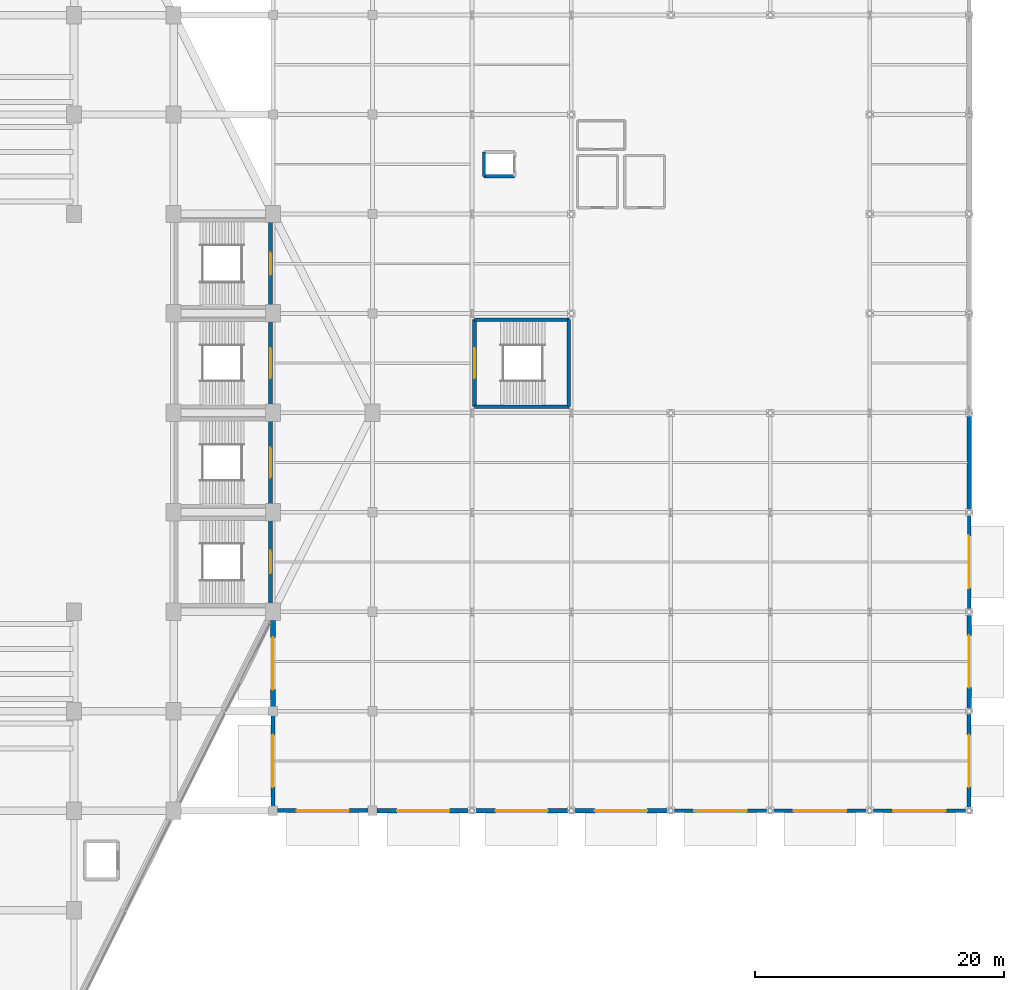
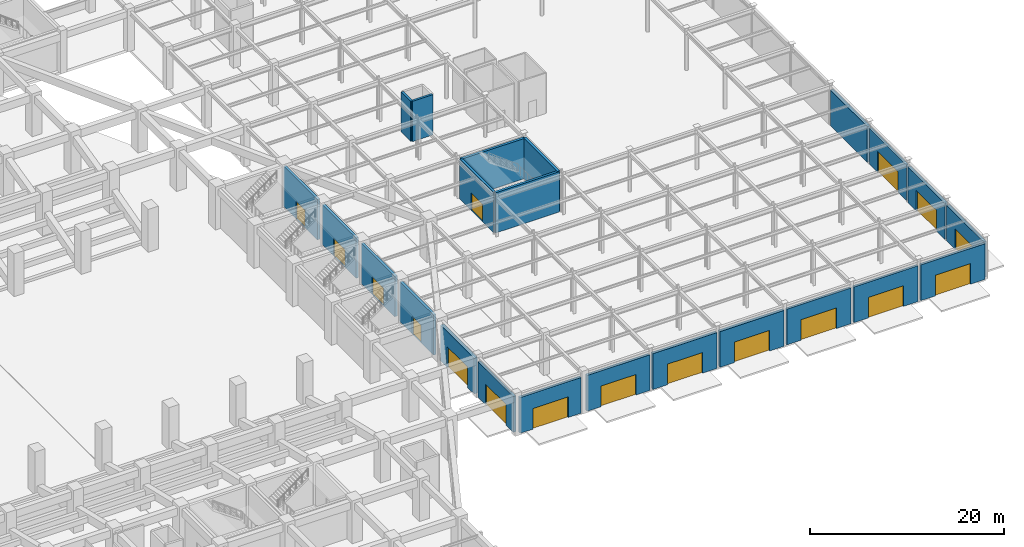
# One storey, part 29 of 39: 23 walls, 17 doors, 17 openings.
"""IFC4 building model written with IfcOpenShell, lengths in metres."""

from ifc_helpers import new_model, si_unit, direction, frame, frame_2d, origin, place, context, subcontext, project, spatial, rectangle, extrude, material, layer, layer_set, type_object, element, fill, save


model = new_model("IFC4")

# Units and contexts
model_context = context("Model", 3, precision=1e-05, world=origin(), true_north=direction((0.0, 1.0)))
body_context = subcontext(model_context, "Body", "Model", "MODEL_VIEW")
ifc_project = project(units=[si_unit("LENGTHUNIT", "METRE"), si_unit("AREAUNIT", "SQUARE_METRE"), si_unit("VOLUMEUNIT", "CUBIC_METRE"), si_unit("PLANEANGLEUNIT", "RADIAN"), si_unit("MASSUNIT", "GRAM", prefix="KILO")], contexts=[model_context])

# Site, building, storey
site_placement = place(None, origin())
site = spatial("IfcSite", under=ifc_project, at=site_placement, CompositionType="ELEMENT")
building_placement = place(site_placement, origin())
building = spatial("IfcBuilding", under=site, at=building_placement, Name="Tazarka Park Arena", CompositionType="ELEMENT")
storey_placement = place(building_placement, origin())
storey = spatial("IfcBuildingStorey", under=building, at=storey_placement, Name="L00", CompositionType="ELEMENT", Elevation=0.0)

# Wall, opening, door
ifc_material_1 = material(Name="Concrete C40/50", Category="concrete")
ifc_layer_1 = layer(ifc_material_1, 0.300048828125, Name="Concrete C40/50")
ifc_layer_set_1 = layer_set([ifc_layer_1], Name="Concrete C40/50")
wall_type_1 = type_object("IfcWallType", Name="IWAL-CW-S1", PredefinedType="SHEAR", material=ifc_layer_set_1)
wall_1_placement = place(storey_placement, frame((127.800048828125, 63.5, 0.0), z_axis=(0.0, 0.0, 1.0), x_axis=(0.0, -1.0, 0.0)))
wall_1 = element("IfcWall", 1, at=wall_1_placement, inside=storey, type_object=wall_type_1, Name="SCW-L00-ST12-E", PredefinedType="SHEAR", context=body_context, shape_type="SweptSolid", body=[
    extrude(rectangle(XDim=7.0, YDim=0.300048828125, at=frame_2d((3.5, 0.0))), origin(), (0.0, 0.0, 1.0), 5.080078125),
])
opening_1_placement = place(wall_1_placement, frame((2.300048828125, 0.0, 0.0)))
opening_1 = element("IfcOpeningElement", 2, at=opening_1_placement, cuts=wall_1, Name="Opening ID-05", PredefinedType="OPENING", context=body_context, shape_type="SweptSolid", body=[
    extrude(rectangle(XDim=2.39990234375, YDim=2.199951171875, at=frame_2d((1.199951171875, 1.10009765625))), frame((0.0, 0.16015625, 0.0), z_axis=(0.0, -1.0, 0.0), x_axis=(1.0, 0.0, 0.0)), (0.0, 0.0, 1.0), 0.320068359375),
])
ifc_material_2 = material(Name="Fire-rated powder-coated steel and acoustic timber", Category="steel")
door_type_1 = type_object("IfcDoorType", Name="IDR-ID-05", OperationType="NOTDEFINED", PredefinedType="DOOR", material=ifc_material_2)
door_1_placement = place(opening_1_placement, origin())
door_1 = element("IfcDoor", 3, at=door_1_placement, inside=storey, type_object=door_type_1, Name="Exit Stair Door ST12-L00", OperationType="DOUBLE_DOOR_SINGLE_SWING", OverallHeight=2.199951171875, OverallWidth=2.39990234375, PredefinedType="DOOR", context=body_context, shape_type="SweptSolid", body=[
    extrude(rectangle(XDim=2.39990234375, YDim=2.199951171875, at=frame_2d((1.199951171875, 1.10009765625))), frame((0.0, 0.02490234375, 0.0), z_axis=(0.0, -1.0, 0.0), x_axis=(1.0, 0.0, 0.0)), (0.0, 0.0, 1.0), 0.050048828125),
])
fill(opening_1, door_1)

wall_2_placement = place(storey_placement, frame((127.800048828125, 71.5, 0.0), z_axis=(0.0, 0.0, 1.0), x_axis=(0.0, -1.0, 0.0)))
wall_2 = element("IfcWall", 4, at=wall_2_placement, inside=storey, type_object=wall_type_1, Name="SCW-L00-ST16-E", PredefinedType="SHEAR", context=body_context, shape_type="SweptSolid", body=[
    extrude(rectangle(XDim=7.0, YDim=0.300048828125, at=frame_2d((3.5, 0.0))), origin(), (0.0, 0.0, 1.0), 5.080078125),
])
opening_2_placement = place(wall_2_placement, frame((2.300048828125, 0.0, 0.0)))
opening_2 = element("IfcOpeningElement", 5, at=opening_2_placement, cuts=wall_2, Name="Opening ID-05", PredefinedType="OPENING", context=body_context, shape_type="SweptSolid", body=[
    extrude(rectangle(XDim=2.39990234375, YDim=2.199951171875, at=frame_2d((1.199951171875, 1.10009765625))), frame((0.0, 0.16015625, 0.0), z_axis=(0.0, -1.0, 0.0), x_axis=(1.0, 0.0, 0.0)), (0.0, 0.0, 1.0), 0.320068359375),
])
door_2_placement = place(opening_2_placement, origin())
door_2 = element("IfcDoor", 6, at=door_2_placement, inside=storey, type_object=door_type_1, Name="Exit Stair Door ST16-L00", OperationType="DOUBLE_DOOR_SINGLE_SWING", OverallHeight=2.199951171875, OverallWidth=2.39990234375, PredefinedType="DOOR", context=body_context, shape_type="SweptSolid", body=[
    extrude(rectangle(XDim=2.39990234375, YDim=2.199951171875, at=frame_2d((1.199951171875, 1.10009765625))), frame((0.0, 0.02490234375, 0.0), z_axis=(0.0, -1.0, 0.0), x_axis=(1.0, 0.0, 0.0)), (0.0, 0.0, 1.0), 0.050048828125),
])
fill(opening_2, door_2)

# Wall
wall_3_placement = place(storey_placement, frame((151.800048828125, 64.5, 0.0), z_axis=(0.0, 0.0, 1.0), x_axis=(-1.0, 0.0, 0.0)))
element("IfcWall", 7, at=wall_3_placement, inside=storey, type_object=wall_type_1, Name="SCW-L00-ST18-S", PredefinedType="SHEAR", context=body_context, shape_type="SweptSolid", body=[
    extrude(rectangle(XDim=7.60009765625, YDim=0.300048828125, at=frame_2d((3.800048828125, 0.0))), origin(), (0.0, 0.0, 1.0), 5.080078125),
])

# Wall, opening, door
wall_4_placement = place(storey_placement, frame((144.199951171875, 64.5, 0.0), z_axis=(0.0, 0.0, 1.0), x_axis=(0.0, 1.0, 0.0)))
wall_4 = element("IfcWall", 8, at=wall_4_placement, inside=storey, type_object=wall_type_1, Name="SCW-L00-ST18-W", PredefinedType="SHEAR", context=body_context, shape_type="SweptSolid", body=[
    extrude(rectangle(XDim=7.0, YDim=0.300048828125, at=frame_2d((3.5, 0.0))), origin(), (0.0, 0.0, 1.0), 5.080078125),
])
opening_3_placement = place(wall_4_placement, frame((2.300048828125, 0.0, 0.0)))
opening_3 = element("IfcOpeningElement", 9, at=opening_3_placement, cuts=wall_4, Name="Opening ID-05", PredefinedType="OPENING", context=body_context, shape_type="SweptSolid", body=[
    extrude(rectangle(XDim=2.39990234375, YDim=2.199951171875, at=frame_2d((1.199951171875, 1.10009765625))), frame((0.0, 0.16015625, 0.0), z_axis=(0.0, -1.0, 0.0), x_axis=(1.0, 0.0, 0.0)), (0.0, 0.0, 1.0), 0.320068359375),
])
door_3_placement = place(opening_3_placement, origin())
door_3 = element("IfcDoor", 10, at=door_3_placement, inside=storey, type_object=door_type_1, Name="Exit Stair Door ST18-L00", OperationType="DOUBLE_DOOR_SINGLE_SWING", OverallHeight=2.199951171875, OverallWidth=2.39990234375, PredefinedType="DOOR", context=body_context, shape_type="SweptSolid", body=[
    extrude(rectangle(XDim=2.39990234375, YDim=2.199951171875, at=frame_2d((1.199951171875, 1.10009765625))), frame((0.0, 0.02490234375, 0.0), z_axis=(0.0, -1.0, 0.0), x_axis=(1.0, 0.0, 0.0)), (0.0, 0.0, 1.0), 0.050048828125),
])
fill(opening_3, door_3)

# Walls
wall_5_placement = place(storey_placement, frame((144.199951171875, 71.5, 0.0), z_axis=(0.0, 0.0, 1.0), x_axis=(1.0, 0.0, 0.0)))
element("IfcWall", 11, at=wall_5_placement, inside=storey, type_object=wall_type_1, Name="SCW-L00-ST18-N", PredefinedType="SHEAR", context=body_context, shape_type="SweptSolid", body=[
    extrude(rectangle(XDim=7.60009765625, YDim=0.300048828125, at=frame_2d((3.800048828125, 0.0))), origin(), (0.0, 0.0, 1.0), 5.080078125),
])
wall_6_placement = place(storey_placement, frame((151.800048828125, 71.5, 0.0), z_axis=(0.0, 0.0, 1.0), x_axis=(0.0, -1.0, 0.0)))
element("IfcWall", 12, at=wall_6_placement, inside=storey, type_object=wall_type_1, Name="SCW-L00-ST18-E", PredefinedType="SHEAR", context=body_context, shape_type="SweptSolid", body=[
    extrude(rectangle(XDim=7.0, YDim=0.300048828125, at=frame_2d((3.5, 0.0))), origin(), (0.0, 0.0, 1.0), 5.080078125),
])

# Wall, opening, door
wall_7_placement = place(storey_placement, frame((127.800048828125, 55.5, 0.0), z_axis=(0.0, 0.0, 1.0), x_axis=(0.0, -1.0, 0.0)))
wall_7 = element("IfcWall", 13, at=wall_7_placement, inside=storey, type_object=wall_type_1, Name="SCW-L00-ST21-E", PredefinedType="SHEAR", context=body_context, shape_type="SweptSolid", body=[
    extrude(rectangle(XDim=7.0, YDim=0.300048828125, at=frame_2d((3.5, 0.0))), origin(), (0.0, 0.0, 1.0), 5.080078125),
])
opening_4_placement = place(wall_7_placement, frame((2.60009765625, 0.0, 0.0)))
opening_4 = element("IfcOpeningElement", 14, at=opening_4_placement, cuts=wall_7, Name="Opening ID-04", PredefinedType="OPENING", context=body_context, shape_type="SweptSolid", body=[
    extrude(rectangle(XDim=1.800048828125, YDim=2.199951171875, at=frame_2d((0.89990234375, 1.10009765625))), frame((0.0, 0.16015625, 0.0), z_axis=(0.0, -1.0, 0.0), x_axis=(1.0, 0.0, 0.0)), (0.0, 0.0, 1.0), 0.320068359375),
])
ifc_material_3 = material(Name="Fire-rated powder-coated steel and acoustic timber", Category="steel")
door_type_2 = type_object("IfcDoorType", Name="IDR-ID-04", OperationType="NOTDEFINED", PredefinedType="DOOR", material=ifc_material_3)
door_4_placement = place(opening_4_placement, origin())
door_4 = element("IfcDoor", 15, at=door_4_placement, inside=storey, type_object=door_type_2, Name="Vomitory Stair Door ST21-L00", OperationType="DOUBLE_DOOR_SINGLE_SWING", OverallHeight=2.199951171875, OverallWidth=1.800048828125, PredefinedType="DOOR", context=body_context, shape_type="SweptSolid", body=[
    extrude(rectangle(XDim=1.800048828125, YDim=2.199951171875, at=frame_2d((0.89990234375, 1.10009765625))), frame((0.0, 0.02490234375, 0.0), z_axis=(0.0, -1.0, 0.0), x_axis=(1.0, 0.0, 0.0)), (0.0, 0.0, 1.0), 0.050048828125),
])
fill(opening_4, door_4)

wall_8_placement = place(storey_placement, frame((127.800048828125, 79.5, 0.0), z_axis=(0.0, 0.0, 1.0), x_axis=(0.0, -1.0, 0.0)))
wall_8 = element("IfcWall", 16, at=wall_8_placement, inside=storey, type_object=wall_type_1, Name="SCW-L00-ST22-E", PredefinedType="SHEAR", context=body_context, shape_type="SweptSolid", body=[
    extrude(rectangle(XDim=7.0, YDim=0.300048828125, at=frame_2d((3.5, 0.0))), origin(), (0.0, 0.0, 1.0), 5.080078125),
])
opening_5_placement = place(wall_8_placement, frame((2.60009765625, 0.0, 0.0)))
opening_5 = element("IfcOpeningElement", 17, at=opening_5_placement, cuts=wall_8, Name="Opening ID-04", PredefinedType="OPENING", context=body_context, shape_type="SweptSolid", body=[
    extrude(rectangle(XDim=1.800048828125, YDim=2.199951171875, at=frame_2d((0.89990234375, 1.10009765625))), frame((0.0, 0.16015625, 0.0), z_axis=(0.0, -1.0, 0.0), x_axis=(1.0, 0.0, 0.0)), (0.0, 0.0, 1.0), 0.320068359375),
])
door_5_placement = place(opening_5_placement, origin())
door_5 = element("IfcDoor", 18, at=door_5_placement, inside=storey, type_object=door_type_2, Name="Vomitory Stair Door ST22-L00", OperationType="DOUBLE_DOOR_SINGLE_SWING", OverallHeight=2.199951171875, OverallWidth=1.800048828125, PredefinedType="DOOR", context=body_context, shape_type="SweptSolid", body=[
    extrude(rectangle(XDim=1.800048828125, YDim=2.199951171875, at=frame_2d((0.89990234375, 1.10009765625))), frame((0.0, 0.02490234375, 0.0), z_axis=(0.0, -1.0, 0.0), x_axis=(1.0, 0.0, 0.0)), (0.0, 0.0, 1.0), 0.050048828125),
])
fill(opening_5, door_5)

# Walls
ifc_material_4 = material(Name="Concrete C40/50", Category="concrete")
ifc_layer_2 = layer(ifc_material_4, 0.260009765625, Name="Concrete C40/50")
ifc_layer_set_2 = layer_set([ifc_layer_2], Name="Concrete C40/50")
wall_type_2 = type_object("IfcWallType", Name="IWAL-CW-S3", PredefinedType="SHEAR", material=ifc_layer_set_2)
wall_9_placement = place(storey_placement, frame((144.97998046875, 83.030029296875, 0.0), z_axis=(0.0, 0.0, 1.0), x_axis=(0.0, 1.0, 0.0)))
element("IfcWall", 19, at=wall_9_placement, inside=storey, type_object=wall_type_2, Name="LSW-L00-LF-10-W", PredefinedType="SHEAR", context=body_context, shape_type="SweptSolid", body=[
    extrude(rectangle(XDim=1.93994140625, YDim=0.260009765625, at=frame_2d((0.969970703125, 0.0))), origin(), (0.0, 0.0, 1.0), 5.080078125),
])
wall_10_placement = place(storey_placement, frame((147.419921875, 83.030029296875, 0.0), z_axis=(0.0, 0.0, 1.0), x_axis=(-1.0, 0.0, 0.0)))
element("IfcWall", 20, at=wall_10_placement, inside=storey, type_object=wall_type_2, Name="LSW-L00-LF-10-S", PredefinedType="SHEAR", context=body_context, shape_type="SweptSolid", body=[
    extrude(rectangle(XDim=2.43994140625, YDim=0.260009765625, at=frame_2d((1.219970703125, 0.0))), origin(), (0.0, 0.0, 1.0), 5.080078125),
])

# Wall, opening, door
ifc_material_5 = material(Name="Precast concrete C40/50", Category="concrete")
ifc_layer_3 = layer(ifc_material_5, 0.300048828125, Name="Precast concrete C40/50")
ifc_layer_set_3 = layer_set([ifc_layer_3], Name="Precast concrete C40/50")
wall_type_3 = type_object("IfcWallType", Name="WAL-EW-01", PredefinedType="SOLIDWALL", material=ifc_layer_set_3)
wall_11_placement = place(storey_placement, frame((128.0, 32.35498046875, 0.0), z_axis=(0.0, 0.0, 1.0), x_axis=(0.0, 1.0, 0.0)))
wall_11 = element("IfcWall", 21, at=wall_11_placement, inside=storey, type_object=wall_type_3, Name="EW-L00-0080", PredefinedType="SOLIDWALL", context=body_context, shape_type="SweptSolid", body=[
    extrude(rectangle(XDim=7.2900390625, YDim=0.300048828125, at=frame_2d((3.64501953125, 0.0))), origin(), (0.0, 0.0, 1.0), 4.5),
])
opening_6_placement = place(wall_11_placement, frame((1.544921875, 0.0, 0.0)))
opening_6 = element("IfcOpeningElement", 22, at=opening_6_placement, cuts=wall_11, Name="Opening E02", PredefinedType="OPENING", context=body_context, shape_type="SweptSolid", body=[
    extrude(rectangle(XDim=4.199951171875, YDim=2.60009765625, at=frame_2d((2.10009765625, 1.300048828125))), frame((0.0, 0.16015625, 0.0), z_axis=(0.0, -1.0, 0.0), x_axis=(1.0, 0.0, 0.0)), (0.0, 0.0, 1.0), 0.320068359375),
])
ifc_material_6 = material(Name="Thermally broken anodised aluminium and laminated safety glass", Category="aluminium")
door_type_3 = type_object("IfcDoorType", Name="DR-ED-01", OperationType="NOTDEFINED", PredefinedType="DOOR", material=ifc_material_6)
door_6_placement = place(opening_6_placement, origin())
door_6 = element("IfcDoor", 23, at=door_6_placement, inside=storey, type_object=door_type_3, Name="Main entrance E02", OperationType="DOUBLE_DOOR_SINGLE_SWING", OverallHeight=2.60009765625, OverallWidth=4.199951171875, PredefinedType="DOOR", context=body_context, shape_type="SweptSolid", body=[
    extrude(rectangle(XDim=4.199951171875, YDim=2.60009765625, at=frame_2d((2.10009765625, 1.300048828125))), frame((0.0, 0.02490234375, 0.0), z_axis=(0.0, -1.0, 0.0), x_axis=(1.0, 0.0, 0.0)), (0.0, 0.0, 1.0), 0.050048828125),
])
fill(opening_6, door_6)

ifc_material_7 = material(Name="Precast concrete C40/50", Category="concrete")
ifc_layer_4 = layer(ifc_material_7, 0.320068359375, Name="Precast concrete C40/50")
ifc_layer_set_4 = layer_set([ifc_layer_4], Name="Precast concrete C40/50")
wall_type_4 = type_object("IfcWallType", Name="WAL-EW-02", PredefinedType="SOLIDWALL", material=ifc_layer_set_4)
wall_12_placement = place(storey_placement, frame((135.64501953125, 32.0, 0.0), z_axis=(0.0, 0.0, 1.0), x_axis=(-1.0, 0.0, 0.0)))
wall_12 = element("IfcWall", 24, at=wall_12_placement, inside=storey, type_object=wall_type_4, Name="EW-L00-0081", PredefinedType="SOLIDWALL", context=body_context, shape_type="SweptSolid", body=[
    extrude(rectangle(XDim=7.2900390625, YDim=0.320068359375, at=frame_2d((3.64501953125, 0.0))), origin(), (0.0, 0.0, 1.0), 4.510009765625),
])
opening_7_placement = place(wall_12_placement, frame((1.544921875, 0.0, 0.0)))
opening_7 = element("IfcOpeningElement", 25, at=opening_7_placement, cuts=wall_12, Name="Opening E03", PredefinedType="OPENING", context=body_context, shape_type="SweptSolid", body=[
    extrude(rectangle(XDim=4.199951171875, YDim=2.60009765625, at=frame_2d((2.10009765625, 1.300048828125))), frame((0.0, 0.169921875, 0.0), z_axis=(0.0, -1.0, 0.0), x_axis=(1.0, 0.0, 0.0)), (0.0, 0.0, 1.0), 0.340087890625),
])
door_7_placement = place(opening_7_placement, origin())
door_7 = element("IfcDoor", 26, at=door_7_placement, inside=storey, type_object=door_type_3, Name="Main entrance E03", OperationType="DOUBLE_DOOR_SINGLE_SWING", OverallHeight=2.60009765625, OverallWidth=4.199951171875, PredefinedType="DOOR", context=body_context, shape_type="SweptSolid", body=[
    extrude(rectangle(XDim=4.199951171875, YDim=2.60009765625, at=frame_2d((2.10009765625, 1.300048828125))), frame((0.0, 0.02490234375, 0.0), z_axis=(0.0, -1.0, 0.0), x_axis=(1.0, 0.0, 0.0)), (0.0, 0.0, 1.0), 0.050048828125),
])
fill(opening_7, door_7)

ifc_material_8 = material(Name="Concrete C40/50", Category="concrete")
ifc_layer_5 = layer(ifc_material_8, 0.340087890625, Name="Concrete C40/50")
ifc_layer_set_5 = layer_set([ifc_layer_5], Name="Concrete C40/50")
wall_type_5 = type_object("IfcWallType", Name="WAL-EW-03", PredefinedType="SOLIDWALL", material=ifc_layer_set_5)
wall_13_placement = place(storey_placement, frame((143.81689453125, 32.0, 0.0), z_axis=(0.0, 0.0, 1.0), x_axis=(-1.0, 0.0, 0.0)))
wall_13 = element("IfcWall", 27, at=wall_13_placement, inside=storey, type_object=wall_type_5, Name="EW-L00-0082", PredefinedType="SOLIDWALL", context=body_context, shape_type="SweptSolid", body=[
    extrude(rectangle(XDim=7.4619140625, YDim=0.340087890625, at=frame_2d((3.73095703125, 0.0))), origin(), (0.0, 0.0, 1.0), 4.510009765625),
])
opening_8_placement = place(wall_13_placement, frame((1.630859375, 0.0, 0.0)))
opening_8 = element("IfcOpeningElement", 28, at=opening_8_placement, cuts=wall_13, Name="Opening E04", PredefinedType="OPENING", context=body_context, shape_type="SweptSolid", body=[
    extrude(rectangle(XDim=4.199951171875, YDim=2.60009765625, at=frame_2d((2.10009765625, 1.300048828125))), frame((0.0, 0.18017578125, 0.0), z_axis=(0.0, -1.0, 0.0), x_axis=(1.0, 0.0, 0.0)), (0.0, 0.0, 1.0), 0.360107421875),
])
door_8_placement = place(opening_8_placement, origin())
door_8 = element("IfcDoor", 29, at=door_8_placement, inside=storey, type_object=door_type_3, Name="Main entrance E04", OperationType="DOUBLE_DOOR_SINGLE_SWING", OverallHeight=2.60009765625, OverallWidth=4.199951171875, PredefinedType="DOOR", context=body_context, shape_type="SweptSolid", body=[
    extrude(rectangle(XDim=4.199951171875, YDim=2.60009765625, at=frame_2d((2.10009765625, 1.300048828125))), frame((0.0, 0.02490234375, 0.0), z_axis=(0.0, -1.0, 0.0), x_axis=(1.0, 0.0, 0.0)), (0.0, 0.0, 1.0), 0.050048828125),
])
fill(opening_8, door_8)

ifc_material_9 = material(Name="Concrete C40/50", Category="concrete")
ifc_layer_6 = layer(ifc_material_9, 0.360107421875, Name="Concrete C40/50")
ifc_layer_set_6 = layer_set([ifc_layer_6], Name="Concrete C40/50")
wall_type_6 = type_object("IfcWallType", Name="WAL-EW-04", PredefinedType="SOLIDWALL", material=ifc_layer_set_6)
wall_14_placement = place(storey_placement, frame((151.81689453125, 32.0, 0.0), z_axis=(0.0, 0.0, 1.0), x_axis=(-1.0, 0.0, 0.0)))
wall_14 = element("IfcWall", 30, at=wall_14_placement, inside=storey, type_object=wall_type_6, Name="EW-L00-0083", PredefinedType="SOLIDWALL", context=body_context, shape_type="SweptSolid", body=[
    extrude(rectangle(XDim=7.6337890625, YDim=0.360107421875, at=frame_2d((3.81689453125, 0.0))), origin(), (0.0, 0.0, 1.0), 4.510009765625),
])
opening_9_placement = place(wall_14_placement, frame((1.716796875, 0.0, 0.0)))
opening_9 = element("IfcOpeningElement", 31, at=opening_9_placement, cuts=wall_14, Name="Opening E05", PredefinedType="OPENING", context=body_context, shape_type="SweptSolid", body=[
    extrude(rectangle(XDim=4.199951171875, YDim=2.60009765625, at=frame_2d((2.10009765625, 1.300048828125))), frame((0.0, 0.18994140625, 0.0), z_axis=(0.0, -1.0, 0.0), x_axis=(1.0, 0.0, 0.0)), (0.0, 0.0, 1.0), 0.380126953125),
])
door_9_placement = place(opening_9_placement, origin())
door_9 = element("IfcDoor", 32, at=door_9_placement, inside=storey, type_object=door_type_3, Name="Main entrance E05", OperationType="DOUBLE_DOOR_SINGLE_SWING", OverallHeight=2.60009765625, OverallWidth=4.199951171875, PredefinedType="DOOR", context=body_context, shape_type="SweptSolid", body=[
    extrude(rectangle(XDim=4.199951171875, YDim=2.60009765625, at=frame_2d((2.10009765625, 1.300048828125))), frame((0.0, 0.02490234375, 0.0), z_axis=(0.0, -1.0, 0.0), x_axis=(1.0, 0.0, 0.0)), (0.0, 0.0, 1.0), 0.050048828125),
])
fill(opening_9, door_9)

ifc_material_10 = material(Name="Concrete C50/60", Category="concrete")
ifc_layer_7 = layer(ifc_material_10, 0.3798828125, Name="Concrete C50/60")
ifc_layer_set_7 = layer_set([ifc_layer_7], Name="Concrete C50/60")
wall_type_7 = type_object("IfcWallType", Name="WAL-EW-05", PredefinedType="SOLIDWALL", material=ifc_layer_set_7)
wall_15_placement = place(storey_placement, frame((159.81689453125, 32.0, 0.0), z_axis=(0.0, 0.0, 1.0), x_axis=(-1.0, 0.0, 0.0)))
wall_15 = element("IfcWall", 33, at=wall_15_placement, inside=storey, type_object=wall_type_7, Name="EW-L00-0084", PredefinedType="SOLIDWALL", context=body_context, shape_type="SweptSolid", body=[
    extrude(rectangle(XDim=7.6337890625, YDim=0.3798828125, at=frame_2d((3.81689453125, 0.0))), origin(), (0.0, 0.0, 1.0), 4.510009765625),
])
opening_10_placement = place(wall_15_placement, frame((1.716796875, 0.0, 0.0)))
opening_10 = element("IfcOpeningElement", 34, at=opening_10_placement, cuts=wall_15, Name="Opening E06", PredefinedType="OPENING", context=body_context, shape_type="SweptSolid", body=[
    extrude(rectangle(XDim=4.199951171875, YDim=2.60009765625, at=frame_2d((2.10009765625, 1.300048828125))), frame((0.0, 0.199951171875, 0.0), z_axis=(0.0, -1.0, 0.0), x_axis=(1.0, 0.0, 0.0)), (0.0, 0.0, 1.0), 0.39990234375),
])
door_10_placement = place(opening_10_placement, origin())
door_10 = element("IfcDoor", 35, at=door_10_placement, inside=storey, type_object=door_type_3, Name="Main entrance E06", OperationType="DOUBLE_DOOR_SINGLE_SWING", OverallHeight=2.60009765625, OverallWidth=4.199951171875, PredefinedType="DOOR", context=body_context, shape_type="SweptSolid", body=[
    extrude(rectangle(XDim=4.199951171875, YDim=2.60009765625, at=frame_2d((2.10009765625, 1.300048828125))), frame((0.0, 0.02490234375, 0.0), z_axis=(0.0, -1.0, 0.0), x_axis=(1.0, 0.0, 0.0)), (0.0, 0.0, 1.0), 0.050048828125),
])
fill(opening_10, door_10)

ifc_material_11 = material(Name="Precast concrete C40/50", Category="concrete")
ifc_layer_8 = layer(ifc_material_11, 0.280029296875, Name="Precast concrete C40/50")
ifc_layer_set_8 = layer_set([ifc_layer_8], Name="Precast concrete C40/50")
wall_type_8 = type_object("IfcWallType", Name="WAL-EW-06", PredefinedType="SOLIDWALL", material=ifc_layer_set_8)
wall_16_placement = place(storey_placement, frame((167.81689453125, 32.0, 0.0), z_axis=(0.0, 0.0, 1.0), x_axis=(-1.0, 0.0, 0.0)))
wall_16 = element("IfcWall", 36, at=wall_16_placement, inside=storey, type_object=wall_type_8, Name="EW-L00-0085", PredefinedType="SOLIDWALL", context=body_context, shape_type="SweptSolid", body=[
    extrude(rectangle(XDim=7.6337890625, YDim=0.280029296875, at=frame_2d((3.81689453125, 0.0))), origin(), (0.0, 0.0, 1.0), 4.510009765625),
])
opening_11_placement = place(wall_16_placement, frame((1.716796875, 0.0, 0.0)))
opening_11 = element("IfcOpeningElement", 37, at=opening_11_placement, cuts=wall_16, Name="Opening E07", PredefinedType="OPENING", context=body_context, shape_type="SweptSolid", body=[
    extrude(rectangle(XDim=4.199951171875, YDim=2.60009765625, at=frame_2d((2.10009765625, 1.300048828125))), frame((0.0, 0.14990234375, 0.0), z_axis=(0.0, -1.0, 0.0), x_axis=(1.0, 0.0, 0.0)), (0.0, 0.0, 1.0), 0.300048828125),
])
door_11_placement = place(opening_11_placement, origin())
door_11 = element("IfcDoor", 38, at=door_11_placement, inside=storey, type_object=door_type_3, Name="Main entrance E07", OperationType="DOUBLE_DOOR_SINGLE_SWING", OverallHeight=2.60009765625, OverallWidth=4.199951171875, PredefinedType="DOOR", context=body_context, shape_type="SweptSolid", body=[
    extrude(rectangle(XDim=4.199951171875, YDim=2.60009765625, at=frame_2d((2.10009765625, 1.300048828125))), frame((0.0, 0.02490234375, 0.0), z_axis=(0.0, -1.0, 0.0), x_axis=(1.0, 0.0, 0.0)), (0.0, 0.0, 1.0), 0.050048828125),
])
fill(opening_11, door_11)

ifc_material_12 = material(Name="Precast concrete C40/50", Category="concrete")
ifc_layer_9 = layer(ifc_material_12, 0.2900390625, Name="Precast concrete C40/50")
ifc_layer_set_9 = layer_set([ifc_layer_9], Name="Precast concrete C40/50")
wall_type_9 = type_object("IfcWallType", Name="WAL-EW-07", PredefinedType="SOLIDWALL", material=ifc_layer_set_9)
wall_17_placement = place(storey_placement, frame((175.81689453125, 32.0, 0.0), z_axis=(0.0, 0.0, 1.0), x_axis=(-1.0, 0.0, 0.0)))
wall_17 = element("IfcWall", 39, at=wall_17_placement, inside=storey, type_object=wall_type_9, Name="EW-L00-0086", PredefinedType="SOLIDWALL", context=body_context, shape_type="SweptSolid", body=[
    extrude(rectangle(XDim=7.6337890625, YDim=0.2900390625, at=frame_2d((3.81689453125, 0.0))), origin(), (0.0, 0.0, 1.0), 4.510009765625),
])
opening_12_placement = place(wall_17_placement, frame((1.716796875, 0.0, 0.0)))
opening_12 = element("IfcOpeningElement", 40, at=opening_12_placement, cuts=wall_17, Name="Opening E08", PredefinedType="OPENING", context=body_context, shape_type="SweptSolid", body=[
    extrude(rectangle(XDim=4.199951171875, YDim=2.60009765625, at=frame_2d((2.10009765625, 1.300048828125))), frame((0.0, 0.155029296875, 0.0), z_axis=(0.0, -1.0, 0.0), x_axis=(1.0, 0.0, 0.0)), (0.0, 0.0, 1.0), 0.31005859375),
])
door_12_placement = place(opening_12_placement, origin())
door_12 = element("IfcDoor", 41, at=door_12_placement, inside=storey, type_object=door_type_3, Name="Main entrance E08", OperationType="DOUBLE_DOOR_SINGLE_SWING", OverallHeight=2.60009765625, OverallWidth=4.199951171875, PredefinedType="DOOR", context=body_context, shape_type="SweptSolid", body=[
    extrude(rectangle(XDim=4.199951171875, YDim=2.60009765625, at=frame_2d((2.10009765625, 1.300048828125))), frame((0.0, 0.02490234375, 0.0), z_axis=(0.0, -1.0, 0.0), x_axis=(1.0, 0.0, 0.0)), (0.0, 0.0, 1.0), 0.050048828125),
])
fill(opening_12, door_12)

ifc_material_13 = material(Name="Precast concrete C40/50", Category="concrete")
ifc_layer_10 = layer(ifc_material_13, 0.31005859375, Name="Precast concrete C40/50")
ifc_layer_set_10 = layer_set([ifc_layer_10], Name="Precast concrete C40/50")
wall_type_10 = type_object("IfcWallType", Name="WAL-EW-08", PredefinedType="SOLIDWALL", material=ifc_layer_set_10)
wall_18_placement = place(storey_placement, frame((183.81689453125, 32.0, 0.0), z_axis=(0.0, 0.0, 1.0), x_axis=(-1.0, 0.0, 0.0)))
wall_18 = element("IfcWall", 42, at=wall_18_placement, inside=storey, type_object=wall_type_10, Name="EW-L00-0087", PredefinedType="SOLIDWALL", context=body_context, shape_type="SweptSolid", body=[
    extrude(rectangle(XDim=7.6337890625, YDim=0.31005859375, at=frame_2d((3.81689453125, 0.0))), origin(), (0.0, 0.0, 1.0), 4.510009765625),
])
opening_13_placement = place(wall_18_placement, frame((1.716796875, 0.0, 0.0)))
opening_13 = element("IfcOpeningElement", 43, at=opening_13_placement, cuts=wall_18, Name="Opening E09", PredefinedType="OPENING", context=body_context, shape_type="SweptSolid", body=[
    extrude(rectangle(XDim=4.199951171875, YDim=2.60009765625, at=frame_2d((2.10009765625, 1.300048828125))), frame((0.0, 0.1650390625, 0.0), z_axis=(0.0, -1.0, 0.0), x_axis=(1.0, 0.0, 0.0)), (0.0, 0.0, 1.0), 0.330078125),
])
door_13_placement = place(opening_13_placement, origin())
door_13 = element("IfcDoor", 44, at=door_13_placement, inside=storey, type_object=door_type_3, Name="Main entrance E09", OperationType="DOUBLE_DOOR_SINGLE_SWING", OverallHeight=2.60009765625, OverallWidth=4.199951171875, PredefinedType="DOOR", context=body_context, shape_type="SweptSolid", body=[
    extrude(rectangle(XDim=4.199951171875, YDim=2.60009765625, at=frame_2d((2.10009765625, 1.300048828125))), frame((0.0, 0.02490234375, 0.0), z_axis=(0.0, -1.0, 0.0), x_axis=(1.0, 0.0, 0.0)), (0.0, 0.0, 1.0), 0.050048828125),
])
fill(opening_13, door_13)

ifc_material_14 = material(Name="Concrete C40/50", Category="concrete")
ifc_layer_11 = layer(ifc_material_14, 0.330078125, Name="Concrete C40/50")
ifc_layer_set_11 = layer_set([ifc_layer_11], Name="Concrete C40/50")
wall_type_11 = type_object("IfcWallType", Name="WAL-EW-09", PredefinedType="SOLIDWALL", material=ifc_layer_set_11)
wall_19_placement = place(storey_placement, frame((184.0, 39.81689453125, 0.0), z_axis=(0.0, 0.0, 1.0), x_axis=(0.0, -1.0, 0.0)))
wall_19 = element("IfcWall", 45, at=wall_19_placement, inside=storey, type_object=wall_type_11, Name="EW-L00-0088", PredefinedType="SOLIDWALL", context=body_context, shape_type="SweptSolid", body=[
    extrude(rectangle(XDim=7.6337890625, YDim=0.330078125, at=frame_2d((3.81689453125, 0.0))), origin(), (0.0, 0.0, 1.0), 4.510009765625),
])
opening_14_placement = place(wall_19_placement, frame((1.716796875, 0.0, 0.0)))
opening_14 = element("IfcOpeningElement", 46, at=opening_14_placement, cuts=wall_19, Name="Opening E10", PredefinedType="OPENING", context=body_context, shape_type="SweptSolid", body=[
    extrude(rectangle(XDim=4.199951171875, YDim=2.60009765625, at=frame_2d((2.10009765625, 1.300048828125))), frame((0.0, 0.175048828125, 0.0), z_axis=(0.0, -1.0, 0.0), x_axis=(1.0, 0.0, 0.0)), (0.0, 0.0, 1.0), 0.35009765625),
])
door_14_placement = place(opening_14_placement, origin())
door_14 = element("IfcDoor", 47, at=door_14_placement, inside=storey, type_object=door_type_3, Name="Main entrance E10", OperationType="DOUBLE_DOOR_SINGLE_SWING", OverallHeight=2.60009765625, OverallWidth=4.199951171875, PredefinedType="DOOR", context=body_context, shape_type="SweptSolid", body=[
    extrude(rectangle(XDim=4.199951171875, YDim=2.60009765625, at=frame_2d((2.10009765625, 1.300048828125))), frame((0.0, 0.02490234375, 0.0), z_axis=(0.0, -1.0, 0.0), x_axis=(1.0, 0.0, 0.0)), (0.0, 0.0, 1.0), 0.050048828125),
])
fill(opening_14, door_14)

ifc_material_15 = material(Name="Concrete C40/50", Category="concrete")
ifc_layer_12 = layer(ifc_material_15, 0.35009765625, Name="Concrete C40/50")
ifc_layer_set_12 = layer_set([ifc_layer_12], Name="Concrete C40/50")
wall_type_12 = type_object("IfcWallType", Name="WAL-EW-10", PredefinedType="SOLIDWALL", material=ifc_layer_set_12)
wall_20_placement = place(storey_placement, frame((184.0, 47.81689453125, 0.0), z_axis=(0.0, 0.0, 1.0), x_axis=(0.0, -1.0, 0.0)))
wall_20 = element("IfcWall", 48, at=wall_20_placement, inside=storey, type_object=wall_type_12, Name="EW-L00-0089", PredefinedType="SOLIDWALL", context=body_context, shape_type="SweptSolid", body=[
    extrude(rectangle(XDim=7.6337890625, YDim=0.35009765625, at=frame_2d((3.81689453125, 0.0))), origin(), (0.0, 0.0, 1.0), 4.510009765625),
])
opening_15_placement = place(wall_20_placement, frame((1.716796875, 0.0, 0.0)))
opening_15 = element("IfcOpeningElement", 49, at=opening_15_placement, cuts=wall_20, Name="Opening E11", PredefinedType="OPENING", context=body_context, shape_type="SweptSolid", body=[
    extrude(rectangle(XDim=4.199951171875, YDim=2.60009765625, at=frame_2d((2.10009765625, 1.300048828125))), frame((0.0, 0.18505859375, 0.0), z_axis=(0.0, -1.0, 0.0), x_axis=(1.0, 0.0, 0.0)), (0.0, 0.0, 1.0), 0.3701171875),
])
door_15_placement = place(opening_15_placement, origin())
door_15 = element("IfcDoor", 50, at=door_15_placement, inside=storey, type_object=door_type_3, Name="Main entrance E11", OperationType="DOUBLE_DOOR_SINGLE_SWING", OverallHeight=2.60009765625, OverallWidth=4.199951171875, PredefinedType="DOOR", context=body_context, shape_type="SweptSolid", body=[
    extrude(rectangle(XDim=4.199951171875, YDim=2.60009765625, at=frame_2d((2.10009765625, 1.300048828125))), frame((0.0, 0.02490234375, 0.0), z_axis=(0.0, -1.0, 0.0), x_axis=(1.0, 0.0, 0.0)), (0.0, 0.0, 1.0), 0.050048828125),
])
fill(opening_15, door_15)

ifc_material_16 = material(Name="Precast concrete C40/50", Category="concrete")
ifc_layer_13 = layer(ifc_material_16, 0.27001953125, Name="Precast concrete C40/50")
ifc_layer_set_13 = layer_set([ifc_layer_13], Name="Precast concrete C40/50")
wall_type_13 = type_object("IfcWallType", Name="WAL-EW-11", PredefinedType="SOLIDWALL", material=ifc_layer_set_13)
wall_21_placement = place(storey_placement, frame((184.0, 55.81689453125, 0.0), z_axis=(0.0, 0.0, 1.0), x_axis=(0.0, -1.0, 0.0)))
wall_21 = element("IfcWall", 51, at=wall_21_placement, inside=storey, type_object=wall_type_13, Name="EW-L00-0090", PredefinedType="SOLIDWALL", context=body_context, shape_type="SweptSolid", body=[
    extrude(rectangle(XDim=7.6337890625, YDim=0.27001953125, at=frame_2d((3.81689453125, 0.0))), origin(), (0.0, 0.0, 1.0), 4.510009765625),
])
opening_16_placement = place(wall_21_placement, frame((1.716796875, 0.0, 0.0)))
opening_16 = element("IfcOpeningElement", 52, at=opening_16_placement, cuts=wall_21, Name="Opening E12", PredefinedType="OPENING", context=body_context, shape_type="SweptSolid", body=[
    extrude(rectangle(XDim=4.199951171875, YDim=2.60009765625, at=frame_2d((2.10009765625, 1.300048828125))), frame((0.0, 0.14501953125, 0.0), z_axis=(0.0, -1.0, 0.0), x_axis=(1.0, 0.0, 0.0)), (0.0, 0.0, 1.0), 0.2900390625),
])
door_16_placement = place(opening_16_placement, origin())
door_16 = element("IfcDoor", 53, at=door_16_placement, inside=storey, type_object=door_type_3, Name="Main entrance E12", OperationType="DOUBLE_DOOR_SINGLE_SWING", OverallHeight=2.60009765625, OverallWidth=4.199951171875, PredefinedType="DOOR", context=body_context, shape_type="SweptSolid", body=[
    extrude(rectangle(XDim=4.199951171875, YDim=2.60009765625, at=frame_2d((2.10009765625, 1.300048828125))), frame((0.0, 0.02490234375, 0.0), z_axis=(0.0, -1.0, 0.0), x_axis=(1.0, 0.0, 0.0)), (0.0, 0.0, 1.0), 0.050048828125),
])
fill(opening_16, door_16)

# Wall
ifc_material_17 = material(Name="Concrete C40/50", Category="concrete")
ifc_layer_14 = layer(ifc_material_17, 0.3701171875, Name="Concrete C40/50")
ifc_layer_set_14 = layer_set([ifc_layer_14], Name="Concrete C40/50")
wall_type_14 = type_object("IfcWallType", Name="WAL-EW-12", PredefinedType="SOLIDWALL", material=ifc_layer_set_14)
wall_22_placement = place(storey_placement, frame((184.0, 63.81689453125, 0.0), z_axis=(0.0, 0.0, 1.0), x_axis=(0.0, -1.0, 0.0)))
element("IfcWall", 54, at=wall_22_placement, inside=storey, type_object=wall_type_14, Name="EW-L00-0091", PredefinedType="SOLIDWALL", context=body_context, shape_type="SweptSolid", body=[
    extrude(rectangle(XDim=7.6337890625, YDim=0.3701171875, at=frame_2d((3.81689453125, 0.0))), origin(), (0.0, 0.0, 1.0), 4.510009765625),
])

# Wall, opening, door
ifc_material_18 = material(Name="Concrete C50/60", Category="concrete")
ifc_layer_15 = layer(ifc_material_18, 0.429931640625, Name="Concrete C50/60")
ifc_layer_set_15 = layer_set([ifc_layer_15], Name="Concrete C50/60")
wall_type_15 = type_object("IfcWallType", Name="WAL-EW-16", PredefinedType="SOLIDWALL", material=ifc_layer_set_15)
wall_23_placement = place(storey_placement, frame((128.0, 40.35498046875, 0.0), z_axis=(0.0, 0.0, 1.0), x_axis=(0.0, 1.0, 0.0)))
wall_23 = element("IfcWall", 55, at=wall_23_placement, inside=storey, type_object=wall_type_15, Name="EW-L00-0079", PredefinedType="SOLIDWALL", context=body_context, shape_type="SweptSolid", body=[
    extrude(rectangle(XDim=6.965087890625, YDim=0.429931640625, at=frame_2d((3.482421875, 0.0))), origin(), (0.0, 0.0, 1.0), 4.5),
])
opening_17_placement = place(wall_23_placement, frame((1.382568359375, 0.0, 0.0)))
opening_17 = element("IfcOpeningElement", 56, at=opening_17_placement, cuts=wall_23, Name="Opening E01", PredefinedType="OPENING", context=body_context, shape_type="SweptSolid", body=[
    extrude(rectangle(XDim=4.199951171875, YDim=2.60009765625, at=frame_2d((2.10009765625, 1.300048828125))), frame((0.0, 0.22509765625, 0.0), z_axis=(0.0, -1.0, 0.0), x_axis=(1.0, 0.0, 0.0)), (0.0, 0.0, 1.0), 0.449951171875),
])
door_17_placement = place(opening_17_placement, origin())
door_17 = element("IfcDoor", 57, at=door_17_placement, inside=storey, type_object=door_type_3, Name="Main entrance E01", OperationType="DOUBLE_DOOR_SINGLE_SWING", OverallHeight=2.60009765625, OverallWidth=4.199951171875, PredefinedType="DOOR", context=body_context, shape_type="SweptSolid", body=[
    extrude(rectangle(XDim=4.199951171875, YDim=2.60009765625, at=frame_2d((2.10009765625, 1.300048828125))), frame((0.0, 0.02490234375, 0.0), z_axis=(0.0, -1.0, 0.0), x_axis=(1.0, 0.0, 0.0)), (0.0, 0.0, 1.0), 0.050048828125),
])
fill(opening_17, door_17)

save(model, "model.ifc")
